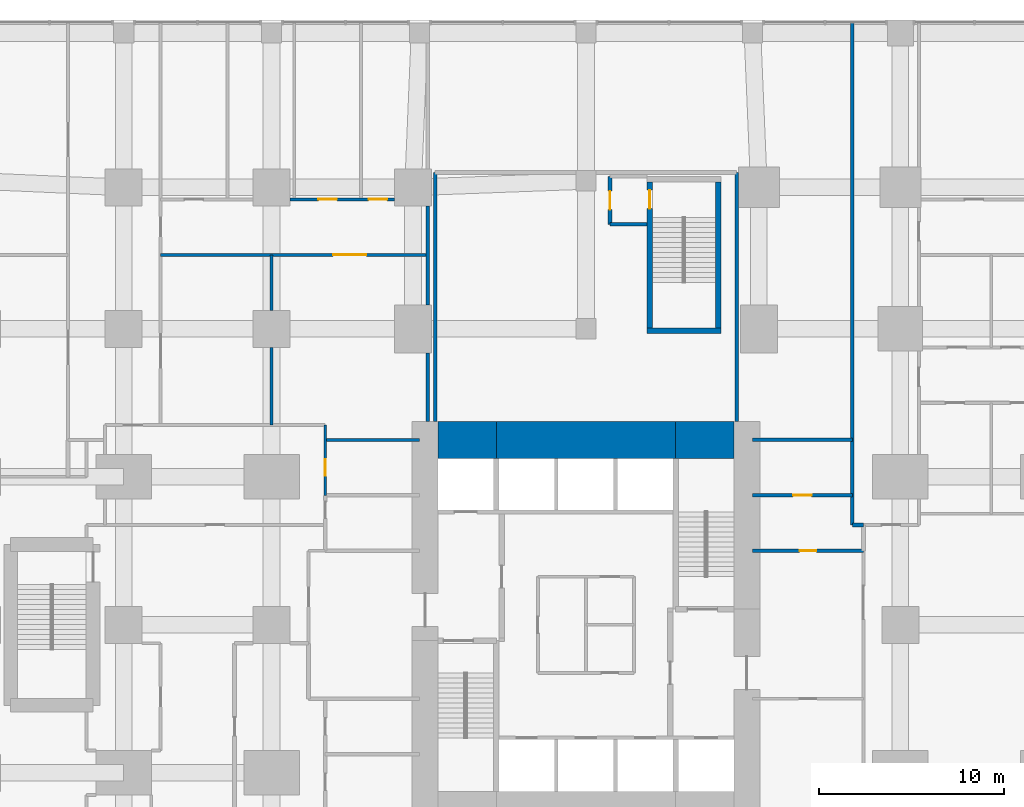
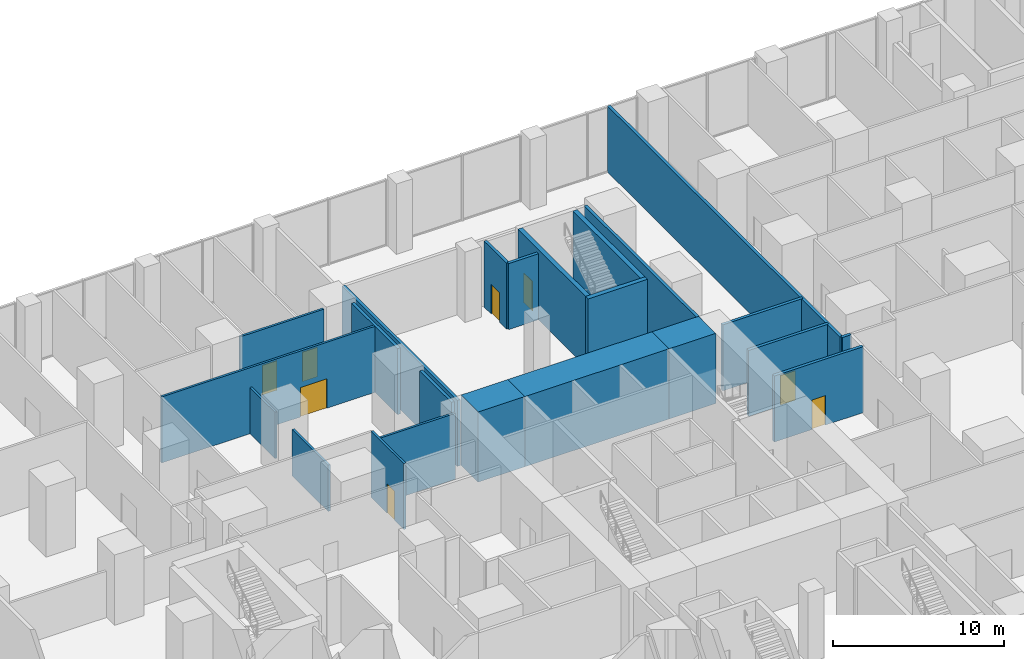
# One storey, part 10 of 19: 23 walls, 8 doors, 8 openings.
"""IFC4 building model written with IfcOpenShell, lengths in metres."""

import ifcopenshell
import ifcopenshell.guid

model = None  # the IFC model being written
_history = None  # IfcOwnerHistory: only IFC2X3 demands one
_inside = {}  # id of a spatial element -> (the spatial element, [elements in it])
_under = {}  # id of a project, library or spatial element -> (it, [spatial elements below it])
_declared = {}  # id of a project -> (the project, [libraries it declares])
_typed = {}  # id of a type object -> (the type object, [elements of that type])
_made_of = {}  # id of a material, layer set ... -> (it, [elements and type objects made of it])


def new_model(schema):
    """Start an empty IFC model of exactly this schema.

    Asked for "IFC4X3", IfcOpenShell would pick the latest addendum, in which some entities
    have other attributes; the version numbers below select the first issue.
    IFC2X3 requires an IfcOwnerHistory on every rooted entity: one is made here for all.
    """
    global model, _history
    if schema == "IFC4X3":
        model = ifcopenshell.file(schema_version=(4, 3, 0, 0))
    else:
        model = ifcopenshell.file(schema=schema)
    _inside.clear()
    _under.clear()
    _declared.clear()
    _typed.clear()
    _made_of.clear()
    _history = None
    if model.schema == "IFC2X3":
        org = make("IfcOrganization", Name="unknown")
        user = make(
            "IfcPersonAndOrganization",
            ThePerson=make("IfcPerson", FamilyName="unknown"),
            TheOrganization=org,
        )
        app = make(
            "IfcApplication",
            ApplicationDeveloper=org,
            Version="unknown",
            ApplicationFullName="unknown",
            ApplicationIdentifier="unknown",
        )
        _history = make(
            "IfcOwnerHistory",
            OwningUser=user,
            OwningApplication=app,
            ChangeAction="ADDED",
            CreationDate=0,
        )
    return model


def make(cls, **values):
    """One entity of the class cls with the attributes given. An attribute that is None is left unset."""
    return model.create_entity(
        cls, **{name: value for name, value in values.items() if value is not None}
    )


def rooted(cls, **values):
    """An entity with a GlobalId (a new one), such as an element, a storey or a relation."""
    return make(cls, GlobalId=ifcopenshell.guid.new(), OwnerHistory=_history, **values)


def si_unit(unit_type, name, prefix=None):
    """IfcSIUnit, for example si_unit("LENGTHUNIT", "METRE", prefix="MILLI")."""
    return make("IfcSIUnit", UnitType=unit_type, Prefix=prefix, Name=name)


def assignment(units):
    """IfcUnitAssignment: the units of a project."""
    return None if units is None else make("IfcUnitAssignment", Units=units)


def point(xyz):
    """IfcCartesianPoint."""
    return None if xyz is None else make("IfcCartesianPoint", Coordinates=xyz)


def direction(xyz):
    """IfcDirection."""
    return None if xyz is None else make("IfcDirection", DirectionRatios=xyz)


def frame(location, z_axis=None, x_axis=None):
    """IfcAxis2Placement3D, a coordinate frame: its origin and axes. An axis left out is left unset."""
    return make(
        "IfcAxis2Placement3D",
        Location=point(location),
        Axis=direction(z_axis),
        RefDirection=direction(x_axis),
    )


def frame_2d(location, x_axis=None):
    """IfcAxis2Placement2D, a coordinate frame in the plane: its origin and x axis."""
    return make(
        "IfcAxis2Placement2D", Location=point(location), RefDirection=direction(x_axis)
    )


def origin():
    """The frame at (0, 0, 0) with its axes left unset."""
    return frame((0.0, 0.0, 0.0))


def place(relative_to, where):
    """IfcLocalPlacement: puts the frame where relative to a parent placement (None: the world)."""
    return make(
        "IfcLocalPlacement", PlacementRelTo=relative_to, RelativePlacement=where
    )


def context(
    kind, dimensions, precision=None, world=None, true_north=None, identifier=None
):
    """IfcGeometricRepresentationContext, for example the 3D "Model" context."""
    return make(
        "IfcGeometricRepresentationContext",
        ContextIdentifier=identifier,
        ContextType=kind,
        CoordinateSpaceDimension=dimensions,
        Precision=precision,
        WorldCoordinateSystem=world,
        TrueNorth=true_north,
    )


def subcontext(parent, identifier, kind, view, scale=None):
    """IfcGeometricRepresentationSubContext, for example "Body" below "Model"."""
    return make(
        "IfcGeometricRepresentationSubContext",
        ContextIdentifier=identifier,
        ContextType=kind,
        ParentContext=parent,
        TargetScale=scale,
        TargetView=view,
    )


def project(units=None, contexts=None):
    """IfcProject with its units and contexts."""
    return rooted(
        "IfcProject",
        Name="project",
        RepresentationContexts=contexts,
        UnitsInContext=assignment(units),
    )


def spatial(cls, under=None, at=None, **own):
    """A site, building, storey or space (cls), placed at a placement, below another one or the project."""
    s = rooted(cls, ObjectPlacement=at, **own)
    if under is not None:
        _under.setdefault(under.id(), (under, []))[1].append(s)
    return s


def profile(cls, at=None, kind="AREA", **sizes):
    """A parametric profile (cls). Its sizes go by their IFC names, for example OverallWidth=200.0."""
    return make(cls, ProfileType=kind, Position=at, **sizes)


def rectangle(**sizes):
    """IfcRectangleProfileDef."""
    return profile("IfcRectangleProfileDef", **sizes)


def extrude(swept, where, along, depth):
    """IfcExtrudedAreaSolid: the profile swept, set in the frame where, extruded along a direction by depth."""
    return make(
        "IfcExtrudedAreaSolid",
        SweptArea=swept,
        Position=where,
        ExtrudedDirection=direction(along),
        Depth=depth,
    )


def shape(context_of_items, identifier, shape_type, items):
    """IfcShapeRepresentation: the items that make up one representation, for example the "Body"."""
    return make(
        "IfcShapeRepresentation",
        ContextOfItems=context_of_items,
        RepresentationIdentifier=identifier,
        RepresentationType=shape_type,
        Items=items,
    )


def material(Name=None, Category=None):
    """IfcMaterial."""
    return make("IfcMaterial", Name=Name, Category=Category)


def layer(
    of_material, thickness, ventilated=None, Name=None, Category=None, Priority=None
):
    """IfcMaterialLayer: one layer of a wall or slab, of a material (None: an air gap)."""
    return make(
        "IfcMaterialLayer",
        Material=of_material,
        LayerThickness=thickness,
        IsVentilated=ventilated,
        Name=Name,
        Category=Category,
        Priority=Priority,
    )


def layer_set(layers, Name=None):
    """IfcMaterialLayerSet."""
    return make("IfcMaterialLayerSet", MaterialLayers=layers, LayerSetName=Name)


def made_of(thing, what):
    """Note that an element or type object is made of a material, layer set ...; save() writes the relation."""
    if what is not None:
        _made_of.setdefault(what.id(), (what, []))[1].append(thing)
    return thing


def type_object(cls, material=None, **own):
    """A type object (cls), such as IfcWallType, which elements share."""
    return made_of(rooted(cls, **own), material)


def element(
    cls,
    number,
    at=None,
    inside=None,
    cuts=None,
    type_object=None,
    material=None,
    context=None,
    identifier="Body",
    shape_type=None,
    held_by="IfcProductDefinitionShape",
    body=None,
    shapes=None,
    **own,
):
    """One element of the class cls, such as IfcWall. Its Tag is "e" and its number.

    at: its placement. inside: the storey or other place that contains it. cuts: it is an
    opening in that element (IfcRelVoidsElement). A single representation is given by context,
    identifier, shape_type and body (its items); several are given by shapes. held_by: the class
    of the entity that holds the representations. save() writes the other relations.
    """
    e = rooted(cls, Tag="e%d" % number, ObjectPlacement=at, **own)
    if body is not None:
        shapes = [shape(context, identifier, shape_type, body)]
    if shapes is not None:
        e.Representation = make(held_by, Representations=shapes)
    if inside is not None:
        _inside.setdefault(inside.id(), (inside, []))[1].append(e)
    if cuts is not None:
        rooted(
            "IfcRelVoidsElement", RelatingBuildingElement=cuts, RelatedOpeningElement=e
        )
    if type_object is not None:
        _typed.setdefault(type_object.id(), (type_object, []))[1].append(e)
    return made_of(e, material)


def fill(opening, filler):
    """IfcRelFillsElement: the door or window that sits in an opening."""
    return rooted(
        "IfcRelFillsElement",
        RelatingOpeningElement=opening,
        RelatedBuildingElement=filler,
    )


def aggregate(whole, parts):
    """IfcRelAggregates: a whole, such as a stair, and the parts it consists of."""
    return rooted("IfcRelAggregates", RelatingObject=whole, RelatedObjects=parts)


def save(model, path):
    """Write the relations noted so far, then the file.

    IfcRelAggregates (storeys below a building ...), IfcRelContainedInSpatialStructure (elements
    in a storey), IfcRelDefinesByType, IfcRelAssociatesMaterial and IfcRelDeclares: one each for
    every whole, place, type object, material and project.
    """
    for whole, parts in _under.values():
        aggregate(whole, parts)
    for where, things in _inside.values():
        rooted(
            "IfcRelContainedInSpatialStructure",
            RelatedElements=things,
            RelatingStructure=where,
        )
    for kind, things in _typed.values():
        rooted("IfcRelDefinesByType", RelatedObjects=things, RelatingType=kind)
    for what, things in _made_of.values():
        rooted("IfcRelAssociatesMaterial", RelatedObjects=things, RelatingMaterial=what)
    for by, libraries in _declared.values():
        rooted("IfcRelDeclares", RelatingContext=by, RelatedDefinitions=libraries)
    model.write(path)


model = new_model("IFC4")

# Units and contexts
model_context = context("Model", 3, precision=1e-05, world=origin(), true_north=direction((0.0, 1.0)))
body_context = subcontext(model_context, "Body", "Model", "MODEL_VIEW")
ifc_project = project(units=[si_unit("LENGTHUNIT", "METRE"), si_unit("AREAUNIT", "SQUARE_METRE"), si_unit("VOLUMEUNIT", "CUBIC_METRE"), si_unit("PLANEANGLEUNIT", "RADIAN"), si_unit("MASSUNIT", "GRAM", prefix="KILO")], contexts=[model_context])

# Site, building, storey
site_placement = place(None, origin())
site = spatial("IfcSite", under=ifc_project, at=site_placement, CompositionType="ELEMENT")
building_placement = place(site_placement, origin())
building = spatial("IfcBuilding", under=site, at=building_placement, Name="Cleftline Residences", CompositionType="ELEMENT")
storey_placement = place(building_placement, frame((0.0, 0.0, 11.0)))
storey = spatial("IfcBuildingStorey", under=building, at=storey_placement, Name="L02", CompositionType="ELEMENT", Elevation=11.0)

# Walls
ifc_material_1 = material(Name="Concrete B70", Category="concrete")
ifc_layer_1 = layer(ifc_material_1, 2.0)
ifc_layer_set_1 = layer_set([ifc_layer_1], Name="CORE WALL 2000")
wall_type_1 = type_object("IfcWallType", Name="CORE WALL 2000", PredefinedType="SHEAR", material=ifc_layer_set_1)
wall_1_placement = place(storey_placement, frame((25.0, 34.0, 0.0), z_axis=(0.0, 0.0, 1.0), x_axis=(1.0, 0.0, 0.0)))
element("IfcWall", 1, at=wall_1_placement, inside=storey, type_object=wall_type_1, Name="Core wall N1", PredefinedType="SHEAR", context=body_context, shape_type="SweptSolid", body=[
    extrude(rectangle(XDim=3.14990234375, YDim=2.0, at=frame_2d((1.574951171875, 0.0))), origin(), (0.0, 0.0, 1.0), 5.0),
])
wall_2_placement = place(storey_placement, frame((28.14990234375, 34.0, 0.0), z_axis=(0.0, 0.0, 1.0), x_axis=(1.0, 0.0, 0.0)))
element("IfcWall", 2, at=wall_2_placement, inside=storey, type_object=wall_type_1, Name="Core wall N2", PredefinedType="SHEAR", context=body_context, shape_type="SweptSolid", body=[
    extrude(rectangle(XDim=9.7001953125, YDim=2.0, at=frame_2d((4.85009765625, 0.0))), origin(), (0.0, 0.0, 1.0), 5.0),
])
wall_3_placement = place(storey_placement, frame((37.85009765625, 34.0, 0.0), z_axis=(0.0, 0.0, 1.0), x_axis=(1.0, 0.0, 0.0)))
element("IfcWall", 3, at=wall_3_placement, inside=storey, type_object=wall_type_1, Name="Core wall N3", PredefinedType="SHEAR", context=body_context, shape_type="SweptSolid", body=[
    extrude(rectangle(XDim=3.14990234375, YDim=2.0, at=frame_2d((1.574951171875, 0.0))), origin(), (0.0, 0.0, 1.0), 5.0),
])

# Wall, opening, door
ifc_material_2 = material(Name="Concrete blockwork, fire rated", Category="masonry")
ifc_layer_2 = layer(ifc_material_2, 0.199951171875)
ifc_layer_set_2 = layer_set([ifc_layer_2], Name="FIRE WALL 200")
wall_type_2 = type_object("IfcWallType", Name="FIRE WALL 200", PredefinedType="PARTITIONING", material=ifc_layer_set_2)
wall_4_placement = place(storey_placement, frame((42.0, 28.0, 0.0), z_axis=(0.0, 0.0, 1.0), x_axis=(1.0, 0.0, 0.0)))
wall_4 = element("IfcWall", 4, at=wall_4_placement, inside=storey, type_object=wall_type_2, Name="Fire separating wall", PredefinedType="PARTITIONING", context=body_context, shape_type="SweptSolid", body=[
    extrude(rectangle(XDim=6.0, YDim=0.199951171875, at=frame_2d((3.0, 0.0))), origin(), (0.0, 0.0, 1.0), 4.699951171875),
])
opening_1_placement = place(wall_4_placement, frame((2.550048828125, 0.0, 0.0)))
opening_1 = element("IfcOpeningElement", 5, at=opening_1_placement, cuts=wall_4, Name="Opening D1F30", PredefinedType="OPENING", context=body_context, shape_type="SweptSolid", body=[
    extrude(rectangle(XDim=0.89990234375, YDim=2.10009765625, at=frame_2d((0.449951171875, 1.050048828125))), frame((0.0, 0.10986328125, 0.0), z_axis=(0.0, -1.0, 0.0), x_axis=(1.0, 0.0, 0.0)), (0.0, 0.0, 1.0), 0.219970703125),
])
ifc_material_3 = material(Name="Timber veneer on solid core", Category="wood")
door_type_1 = type_object("IfcDoorType", Name="DOOR 900X2100 EI 30", OperationType="SINGLE_SWING_LEFT", PredefinedType="DOOR", material=ifc_material_3)
door_1_placement = place(opening_1_placement, origin())
door_1 = element("IfcDoor", 6, at=door_1_placement, inside=storey, type_object=door_type_1, Name="Door to accessible wc east", OperationType="SINGLE_SWING_LEFT", OverallHeight=2.10009765625, OverallWidth=0.89990234375, PredefinedType="DOOR", context=body_context, shape_type="SweptSolid", body=[
    extrude(rectangle(XDim=0.89990234375, YDim=2.10009765625, at=frame_2d((0.449951171875, 1.050048828125))), frame((0.0, 0.02490234375, 0.0), z_axis=(0.0, -1.0, 0.0), x_axis=(1.0, 0.0, 0.0)), (0.0, 0.0, 1.0), 0.050048828125),
])
fill(opening_1, door_1)

# Wall
wall_5_placement = place(storey_placement, frame((47.39990234375, 29.39990234375, 0.0), z_axis=(0.0, 0.0, 1.0), x_axis=(1.0, 0.0, 0.0)))
element("IfcWall", 7, at=wall_5_placement, inside=storey, type_object=wall_type_2, Name="Fire separating wall", PredefinedType="PARTITIONING", context=body_context, shape_type="SweptSolid", body=[
    extrude(rectangle(XDim=0.60009765625, YDim=0.199951171875, at=frame_2d((0.300048828125, 0.0))), origin(), (0.0, 0.0, 1.0), 4.699951171875),
])

# Wall, opening, door
wall_6_placement = place(storey_placement, frame((42.0, 31.0, 0.0), z_axis=(0.0, 0.0, 1.0), x_axis=(1.0, 0.0, 0.0)))
wall_6 = element("IfcWall", 8, at=wall_6_placement, inside=storey, type_object=wall_type_2, Name="Fire separating wall", PredefinedType="PARTITIONING", context=body_context, shape_type="SweptSolid", body=[
    extrude(rectangle(XDim=5.39990234375, YDim=0.199951171875, at=frame_2d((2.699951171875, 0.0))), origin(), (0.0, 0.0, 1.0), 4.699951171875),
])
opening_2_placement = place(wall_6_placement, frame((2.199951171875, 0.0, 0.0)))
opening_2 = element("IfcOpeningElement", 9, at=opening_2_placement, cuts=wall_6, Name="Opening D2F60", PredefinedType="OPENING", context=body_context, shape_type="SweptSolid", body=[
    extrude(rectangle(XDim=1.0, YDim=2.10009765625, at=frame_2d((0.5, 1.050048828125))), frame((0.0, 0.10986328125, 0.0), z_axis=(0.0, -1.0, 0.0), x_axis=(1.0, 0.0, 0.0)), (0.0, 0.0, 1.0), 0.219970703125),
])
ifc_material_4 = material(Name="Timber veneer on solid core", Category="wood")
door_type_2 = type_object("IfcDoorType", Name="DOOR 1000X2100 EI 60", OperationType="SINGLE_SWING_LEFT", PredefinedType="DOOR", material=ifc_material_4)
door_2_placement = place(opening_2_placement, origin())
door_2 = element("IfcDoor", 10, at=door_2_placement, inside=storey, type_object=door_type_2, Name="Door to plant room", OperationType="SINGLE_SWING_LEFT", OverallHeight=2.10009765625, OverallWidth=1.0, PredefinedType="DOOR", context=body_context, shape_type="SweptSolid", body=[
    extrude(rectangle(XDim=1.0, YDim=2.10009765625, at=frame_2d((0.5, 1.050048828125))), frame((0.0, 0.02490234375, 0.0), z_axis=(0.0, -1.0, 0.0), x_axis=(1.0, 0.0, 0.0)), (0.0, 0.0, 1.0), 0.050048828125),
])
fill(opening_2, door_2)

# Walls
wall_7_placement = place(storey_placement, frame((42.0, 34.0, 0.0), z_axis=(0.0, 0.0, 1.0), x_axis=(1.0, 0.0, 0.0)))
element("IfcWall", 11, at=wall_7_placement, inside=storey, type_object=wall_type_2, Name="Fire separating wall", PredefinedType="PARTITIONING", context=body_context, shape_type="SweptSolid", body=[
    extrude(rectangle(XDim=5.39990234375, YDim=0.199951171875, at=frame_2d((2.699951171875, 0.0))), origin(), (0.0, 0.0, 1.0), 4.699951171875),
])
wall_8_placement = place(storey_placement, frame((34.300048828125, 45.64990234375, 0.0), z_axis=(0.0, 0.0, 1.0), x_axis=(1.0, 0.0, 0.0)))
element("IfcWall", 12, at=wall_8_placement, inside=storey, type_object=wall_type_2, Name="Fire separating wall", PredefinedType="PARTITIONING", context=body_context, shape_type="SweptSolid", body=[
    extrude(rectangle(XDim=2.0, YDim=0.199951171875, at=frame_2d((1.0, 0.0))), origin(), (0.0, 0.0, 1.0), 4.699951171875),
])
wall_9_placement = place(storey_placement, frame((24.449951171875, 35.0, 0.0), z_axis=(0.0, 0.0, 1.0), x_axis=(0.0, 1.0, 0.0)))
element("IfcWall", 13, at=wall_9_placement, inside=storey, type_object=wall_type_2, Name="Fire separating wall", PredefinedType="PARTITIONING", context=body_context, shape_type="SweptSolid", body=[
    extrude(rectangle(XDim=3.699951171875, YDim=0.199951171875, at=frame_2d((1.85009765625, 0.0))), origin(), (0.0, 0.0, 1.0), 4.699951171875),
])
wall_10_placement = place(storey_placement, frame((24.449951171875, 41.300048828125, 0.0), z_axis=(0.0, 0.0, 1.0), x_axis=(0.0, 1.0, 0.0)))
element("IfcWall", 14, at=wall_10_placement, inside=storey, type_object=wall_type_2, Name="Fire separating wall", PredefinedType="PARTITIONING", context=body_context, shape_type="SweptSolid", body=[
    extrude(rectangle(XDim=5.349853515625, YDim=0.199951171875, at=frame_2d((2.6748046875, 0.0))), origin(), (0.0, 0.0, 1.0), 4.699951171875),
])
wall_11_placement = place(storey_placement, frame((24.85009765625, 35.0, 0.0), z_axis=(0.0, 0.0, 1.0), x_axis=(0.0, 1.0, 0.0)))
element("IfcWall", 15, at=wall_11_placement, inside=storey, type_object=wall_type_2, Name="Fire separating wall", PredefinedType="PARTITIONING", context=body_context, shape_type="SweptSolid", body=[
    extrude(rectangle(XDim=13.449951171875, YDim=0.199951171875, at=frame_2d((6.72509765625, 0.0))), origin(), (0.0, 0.0, 1.0), 4.699951171875),
])

# Wall, opening, door
wall_12_placement = place(storey_placement, frame((34.300048828125, 45.64990234375, 0.0), z_axis=(0.0, 0.0, 1.0), x_axis=(0.0, 1.0, 0.0)))
wall_12 = element("IfcWall", 16, at=wall_12_placement, inside=storey, type_object=wall_type_2, Name="Fire separating wall", PredefinedType="PARTITIONING", context=body_context, shape_type="SweptSolid", body=[
    extrude(rectangle(XDim=2.60009765625, YDim=0.199951171875, at=frame_2d((1.300048828125, 0.0))), origin(), (0.0, 0.0, 1.0), 4.699951171875),
])
opening_3_placement = place(wall_12_placement, frame((0.800048828125, 0.0, 0.0)))
opening_3 = element("IfcOpeningElement", 17, at=opening_3_placement, cuts=wall_12, Name="Opening D2F60", PredefinedType="OPENING", context=body_context, shape_type="SweptSolid", body=[
    extrude(rectangle(XDim=1.0, YDim=2.10009765625, at=frame_2d((0.5, 1.050048828125))), frame((0.0, 0.10986328125, 0.0), z_axis=(0.0, -1.0, 0.0), x_axis=(1.0, 0.0, 0.0)), (0.0, 0.0, 1.0), 0.219970703125),
])
door_3_placement = place(opening_3_placement, origin())
door_3 = element("IfcDoor", 18, at=door_3_placement, inside=storey, type_object=door_type_2, Name="Door to stair d lobby", OperationType="SINGLE_SWING_LEFT", OverallHeight=2.10009765625, OverallWidth=1.0, PredefinedType="DOOR", context=body_context, shape_type="SweptSolid", body=[
    extrude(rectangle(XDim=1.0, YDim=2.10009765625, at=frame_2d((0.5, 1.050048828125))), frame((0.0, 0.02490234375, 0.0), z_axis=(0.0, -1.0, 0.0), x_axis=(1.0, 0.0, 0.0)), (0.0, 0.0, 1.0), 0.050048828125),
])
fill(opening_3, door_3)

# Walls
wall_13_placement = place(storey_placement, frame((41.14990234375, 35.0, 0.0), z_axis=(0.0, 0.0, 1.0), x_axis=(0.0, 1.0, 0.0)))
element("IfcWall", 19, at=wall_13_placement, inside=storey, type_object=wall_type_2, Name="Fire separating wall", PredefinedType="PARTITIONING", context=body_context, shape_type="SweptSolid", body=[
    extrude(rectangle(XDim=13.449951171875, YDim=0.199951171875, at=frame_2d((6.72509765625, 0.0))), origin(), (0.0, 0.0, 1.0), 4.699951171875),
])
wall_14_placement = place(storey_placement, frame((47.39990234375, 29.39990234375, 0.0), z_axis=(0.0, 0.0, 1.0), x_axis=(0.0, 1.0, 0.0)))
element("IfcWall", 20, at=wall_14_placement, inside=storey, type_object=wall_type_2, Name="Fire separating wall", PredefinedType="PARTITIONING", context=body_context, shape_type="SweptSolid", body=[
    extrude(rectangle(XDim=27.1611328125, YDim=0.199951171875, at=frame_2d((13.58056640625, 0.0))), origin(), (0.0, 0.0, 1.0), 4.699951171875),
])
ifc_material_5 = material(Name="Gypsum board on steel studs", Category="steel")
ifc_layer_3 = layer(ifc_material_5, 0.14990234375)
ifc_layer_set_3 = layer_set([ifc_layer_3], Name="PARTITION 150")
wall_type_3 = type_object("IfcWallType", Name="PARTITION 150", PredefinedType="PARTITIONING", material=ifc_layer_set_3)
wall_15_placement = place(storey_placement, frame((18.89990234375, 34.0, 0.0), z_axis=(0.0, 0.0, 1.0), x_axis=(1.0, 0.0, 0.0)))
element("IfcWall", 21, at=wall_15_placement, inside=storey, type_object=wall_type_3, Name="Partition", PredefinedType="PARTITIONING", context=body_context, shape_type="SweptSolid", body=[
    extrude(rectangle(XDim=5.10009765625, YDim=0.14990234375, at=frame_2d((2.550048828125, 0.0))), origin(), (0.0, 0.0, 1.0), 4.699951171875),
])

# Wall, opening, door
wall_16_placement = place(storey_placement, frame((10.0, 44.0, 0.0), z_axis=(0.0, 0.0, 1.0), x_axis=(1.0, 0.0, 0.0)))
wall_16 = element("IfcWall", 22, at=wall_16_placement, inside=storey, type_object=wall_type_3, Name="Partition", PredefinedType="PARTITIONING", context=body_context, shape_type="SweptSolid", body=[
    extrude(rectangle(XDim=14.449951171875, YDim=0.14990234375, at=frame_2d((7.22509765625, 0.0))), origin(), (0.0, 0.0, 1.0), 4.699951171875),
])
opening_4_placement = place(wall_16_placement, frame((9.324951171875, 0.0, 0.0)))
opening_4 = element("IfcOpeningElement", 23, at=opening_4_placement, cuts=wall_16, Name="Opening D3", PredefinedType="OPENING", context=body_context, shape_type="SweptSolid", body=[
    extrude(rectangle(XDim=1.800048828125, YDim=2.10009765625, at=frame_2d((0.89990234375, 1.050048828125))), frame((0.0, 0.0849609375, 0.0), z_axis=(0.0, -1.0, 0.0), x_axis=(1.0, 0.0, 0.0)), (0.0, 0.0, 1.0), 0.169921875),
])
ifc_material_6 = material(Name="Timber veneer on solid core", Category="wood")
door_type_3 = type_object("IfcDoorType", Name="DOUBLE DOOR 1800X2100", OperationType="DOUBLE_DOOR_DOUBLE_SWING", PredefinedType="DOOR", material=ifc_material_6)
door_4_placement = place(opening_4_placement, origin())
door_4 = element("IfcDoor", 24, at=door_4_placement, inside=storey, type_object=door_type_3, Name="Door to relaxation lounge", OperationType="DOUBLE_DOOR_DOUBLE_SWING", OverallHeight=2.10009765625, OverallWidth=1.800048828125, PredefinedType="DOOR", context=body_context, shape_type="SweptSolid", body=[
    extrude(rectangle(XDim=1.800048828125, YDim=2.10009765625, at=frame_2d((0.89990234375, 1.050048828125))), frame((0.0, 0.02490234375, 0.0), z_axis=(0.0, -1.0, 0.0), x_axis=(1.0, 0.0, 0.0)), (0.0, 0.0, 1.0), 0.050048828125),
])
fill(opening_4, door_4)

# Wall, openings, doors
wall_17_placement = place(storey_placement, frame((17.0, 47.0, 0.0), z_axis=(0.0, 0.0, 1.0), x_axis=(1.0, 0.0, 0.0)))
wall_17 = element("IfcWall", 25, at=wall_17_placement, inside=storey, type_object=wall_type_3, Name="Partition", PredefinedType="PARTITIONING", context=body_context, shape_type="SweptSolid", body=[
    extrude(rectangle(XDim=5.64990234375, YDim=0.14990234375, at=frame_2d((2.824951171875, 0.0))), origin(), (0.0, 0.0, 1.0), 4.699951171875),
])
opening_5_placement = place(wall_17_placement, frame((1.531005859375, 0.0, 0.0)))
opening_5 = element("IfcOpeningElement", 26, at=opening_5_placement, cuts=wall_17, Name="Opening D2", PredefinedType="OPENING", context=body_context, shape_type="SweptSolid", body=[
    extrude(rectangle(XDim=1.0, YDim=2.10009765625, at=frame_2d((0.5, 1.050048828125))), frame((0.0, 0.0849609375, 0.0), z_axis=(0.0, -1.0, 0.0), x_axis=(1.0, 0.0, 0.0)), (0.0, 0.0, 1.0), 0.169921875),
])
opening_6_placement = place(wall_17_placement, frame((4.243408203125, 0.0, 0.0)))
opening_6 = element("IfcOpeningElement", 27, at=opening_6_placement, cuts=wall_17, Name="Opening D2", PredefinedType="OPENING", context=body_context, shape_type="SweptSolid", body=[
    extrude(rectangle(XDim=1.0, YDim=2.10009765625, at=frame_2d((0.5, 1.050048828125))), frame((0.0, 0.0849609375, 0.0), z_axis=(0.0, -1.0, 0.0), x_axis=(1.0, 0.0, 0.0)), (0.0, 0.0, 1.0), 0.169921875),
])
ifc_material_7 = material(Name="Timber veneer on solid core", Category="wood")
door_type_4 = type_object("IfcDoorType", Name="DOOR 1000X2100", OperationType="SINGLE_SWING_LEFT", PredefinedType="DOOR", material=ifc_material_7)
door_5_placement = place(opening_5_placement, origin())
door_5 = element("IfcDoor", 28, at=door_5_placement, inside=storey, type_object=door_type_4, Name="Door to treatment room 3", OperationType="SINGLE_SWING_RIGHT", OverallHeight=2.10009765625, OverallWidth=1.0, PredefinedType="DOOR", context=body_context, shape_type="SweptSolid", body=[
    extrude(rectangle(XDim=1.0, YDim=2.10009765625, at=frame_2d((0.5, 1.050048828125))), frame((0.0, 0.02490234375, 0.0), z_axis=(0.0, -1.0, 0.0), x_axis=(1.0, 0.0, 0.0)), (0.0, 0.0, 1.0), 0.050048828125),
])
fill(opening_5, door_5)
door_6_placement = place(opening_6_placement, origin())
door_6 = element("IfcDoor", 29, at=door_6_placement, inside=storey, type_object=door_type_4, Name="Door to treatment room 4", OperationType="SINGLE_SWING_LEFT", OverallHeight=2.10009765625, OverallWidth=1.0, PredefinedType="DOOR", context=body_context, shape_type="SweptSolid", body=[
    extrude(rectangle(XDim=1.0, YDim=2.10009765625, at=frame_2d((0.5, 1.050048828125))), frame((0.0, 0.02490234375, 0.0), z_axis=(0.0, -1.0, 0.0), x_axis=(1.0, 0.0, 0.0)), (0.0, 0.0, 1.0), 0.050048828125),
])
fill(opening_6, door_6)

# Walls
wall_18_placement = place(storey_placement, frame((16.0, 34.800048828125, 0.0), z_axis=(0.0, 0.0, 1.0), x_axis=(0.0, 1.0, 0.0)))
element("IfcWall", 30, at=wall_18_placement, inside=storey, type_object=wall_type_3, Name="Partition", PredefinedType="PARTITIONING", context=body_context, shape_type="SweptSolid", body=[
    extrude(rectangle(XDim=4.199951171875, YDim=0.14990234375, at=frame_2d((2.10009765625, 0.0))), origin(), (0.0, 0.0, 1.0), 3.300048828125),
])
wall_19_placement = place(storey_placement, frame((16.0, 41.0, 0.0), z_axis=(0.0, 0.0, 1.0), x_axis=(0.0, 1.0, 0.0)))
element("IfcWall", 31, at=wall_19_placement, inside=storey, type_object=wall_type_3, Name="Partition", PredefinedType="PARTITIONING", context=body_context, shape_type="SweptSolid", body=[
    extrude(rectangle(XDim=3.0, YDim=0.14990234375, at=frame_2d((1.5, 0.0))), origin(), (0.0, 0.0, 1.0), 3.300048828125),
])

# Wall, opening, door
wall_20_placement = place(storey_placement, frame((18.89990234375, 31.0, 0.0), z_axis=(0.0, 0.0, 1.0), x_axis=(0.0, 1.0, 0.0)))
wall_20 = element("IfcWall", 32, at=wall_20_placement, inside=storey, type_object=wall_type_3, Name="Partition", PredefinedType="PARTITIONING", context=body_context, shape_type="SweptSolid", body=[
    extrude(rectangle(XDim=3.800048828125, YDim=0.14990234375, at=frame_2d((1.89990234375, 0.0))), origin(), (0.0, 0.0, 1.0), 4.699951171875),
])
opening_7_placement = place(wall_20_placement, frame((1.050048828125, 0.0, 0.0)))
opening_7 = element("IfcOpeningElement", 33, at=opening_7_placement, cuts=wall_20, Name="Opening D1", PredefinedType="OPENING", context=body_context, shape_type="SweptSolid", body=[
    extrude(rectangle(XDim=0.89990234375, YDim=2.10009765625, at=frame_2d((0.449951171875, 1.050048828125))), frame((0.0, 0.0849609375, 0.0), z_axis=(0.0, -1.0, 0.0), x_axis=(1.0, 0.0, 0.0)), (0.0, 0.0, 1.0), 0.169921875),
])
ifc_material_8 = material(Name="Timber veneer on solid core", Category="wood")
door_type_5 = type_object("IfcDoorType", Name="DOOR 900X2100", OperationType="SINGLE_SWING_LEFT", PredefinedType="DOOR", material=ifc_material_8)
door_7_placement = place(opening_7_placement, origin())
door_7 = element("IfcDoor", 34, at=door_7_placement, inside=storey, type_object=door_type_5, Name="Door to cleaner's store", OperationType="SINGLE_SWING_RIGHT", OverallHeight=2.10009765625, OverallWidth=0.89990234375, PredefinedType="DOOR", context=body_context, shape_type="SweptSolid", body=[
    extrude(rectangle(XDim=0.89990234375, YDim=2.10009765625, at=frame_2d((0.449951171875, 1.050048828125))), frame((0.0, 0.02490234375, 0.0), z_axis=(0.0, -1.0, 0.0), x_axis=(1.0, 0.0, 0.0)), (0.0, 0.0, 1.0), 0.050048828125),
])
fill(opening_7, door_7)

# Wall
ifc_material_9 = material(Name="Concrete blockwork, fire rated", Category="masonry")
ifc_layer_4 = layer(ifc_material_9, 0.300048828125)
ifc_layer_set_4 = layer_set([ifc_layer_4], Name="STAIR ENCLOSURE WALL 300")
wall_type_4 = type_object("IfcWallType", Name="STAIR ENCLOSURE WALL 300", PredefinedType="PARTITIONING", material=ifc_layer_set_4)
wall_21_placement = place(storey_placement, frame((36.300048828125, 39.89990234375, 0.0), z_axis=(0.0, 0.0, 1.0), x_axis=(1.0, 0.0, 0.0)))
element("IfcWall", 35, at=wall_21_placement, inside=storey, type_object=wall_type_4, Name="Stair D enclosure", PredefinedType="PARTITIONING", context=body_context, shape_type="SweptSolid", body=[
    extrude(rectangle(XDim=4.0, YDim=0.300048828125, at=frame_2d((2.0, 0.0))), origin(), (0.0, 0.0, 1.0), 5.0),
])

# Wall, opening, door
wall_22_placement = place(storey_placement, frame((36.449951171875, 40.050048828125, 0.0), z_axis=(0.0, 0.0, 1.0), x_axis=(0.0, 1.0, 0.0)))
wall_22 = element("IfcWall", 36, at=wall_22_placement, inside=storey, type_object=wall_type_4, Name="Stair D enclosure", PredefinedType="PARTITIONING", context=body_context, shape_type="SweptSolid", body=[
    extrude(rectangle(XDim=7.89990234375, YDim=0.300048828125, at=frame_2d((3.949951171875, 0.0))), origin(), (0.0, 0.0, 1.0), 5.0),
])
opening_8_placement = place(wall_22_placement, frame((6.449951171875, 0.0, 0.0)))
opening_8 = element("IfcOpeningElement", 37, at=opening_8_placement, cuts=wall_22, Name="Opening D5", PredefinedType="OPENING", context=body_context, shape_type="SweptSolid", body=[
    extrude(rectangle(XDim=1.0, YDim=2.10009765625, at=frame_2d((0.5, 1.050048828125))), frame((0.0, 0.159912109375, 0.0), z_axis=(0.0, -1.0, 0.0), x_axis=(1.0, 0.0, 0.0)), (0.0, 0.0, 1.0), 0.320068359375),
])
ifc_material_10 = material(Name="Steel", Category="steel")
door_type_6 = type_object("IfcDoorType", Name="STAIR DOOR 1000X2100", OperationType="SINGLE_SWING_LEFT", PredefinedType="DOOR", material=ifc_material_10)
door_8_placement = place(opening_8_placement, origin())
door_8 = element("IfcDoor", 38, at=door_8_placement, inside=storey, type_object=door_type_6, Name="Stair D door", OperationType="SINGLE_SWING_LEFT", OverallHeight=2.10009765625, OverallWidth=1.0, PredefinedType="DOOR", context=body_context, shape_type="SweptSolid", body=[
    extrude(rectangle(XDim=1.0, YDim=2.10009765625, at=frame_2d((0.5, 1.050048828125))), frame((0.0, 0.02490234375, 0.0), z_axis=(0.0, -1.0, 0.0), x_axis=(1.0, 0.0, 0.0)), (0.0, 0.0, 1.0), 0.050048828125),
])
fill(opening_8, door_8)

# Wall
wall_23_placement = place(storey_placement, frame((40.14990234375, 40.050048828125, 0.0), z_axis=(0.0, 0.0, 1.0), x_axis=(0.0, 1.0, 0.0)))
element("IfcWall", 39, at=wall_23_placement, inside=storey, type_object=wall_type_4, Name="Stair D enclosure", PredefinedType="PARTITIONING", context=body_context, shape_type="SweptSolid", body=[
    extrude(rectangle(XDim=7.89990234375, YDim=0.300048828125, at=frame_2d((3.949951171875, 0.0))), origin(), (0.0, 0.0, 1.0), 5.0),
])

save(model, "model.ifc")
